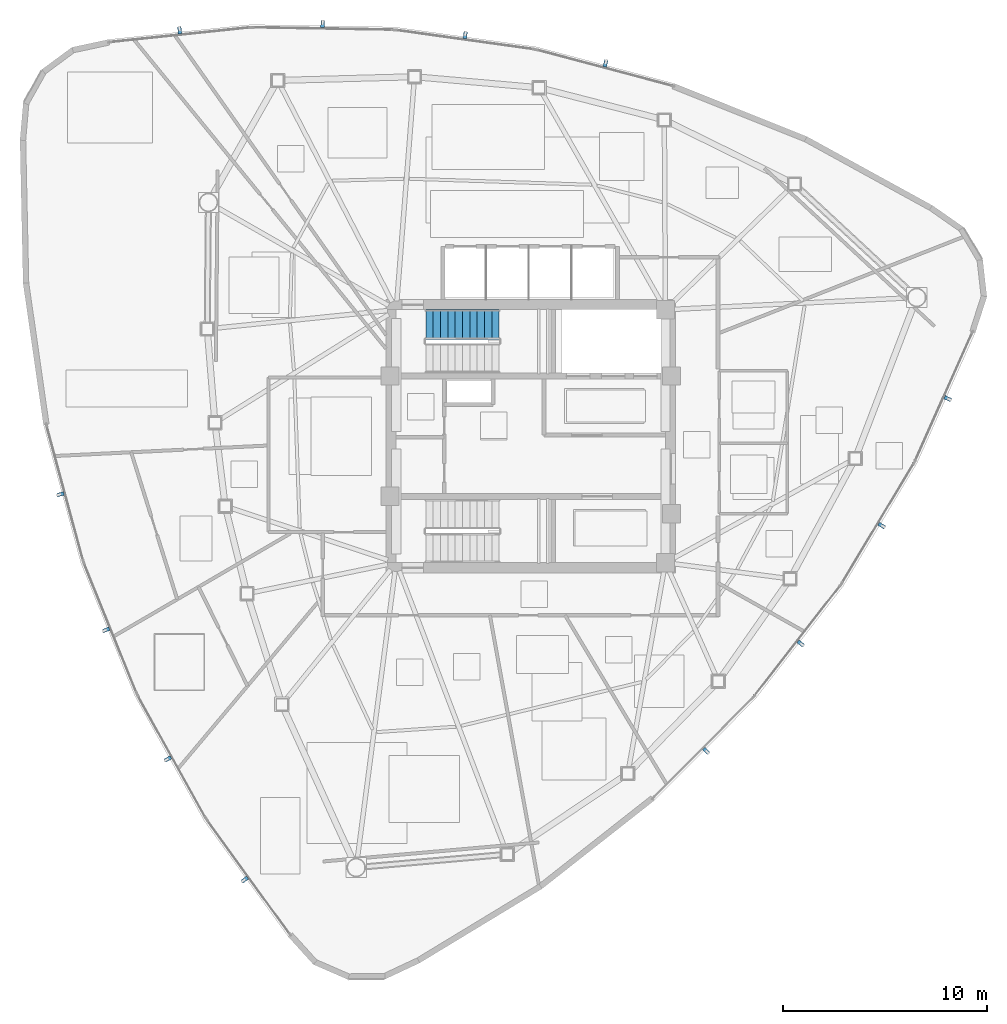
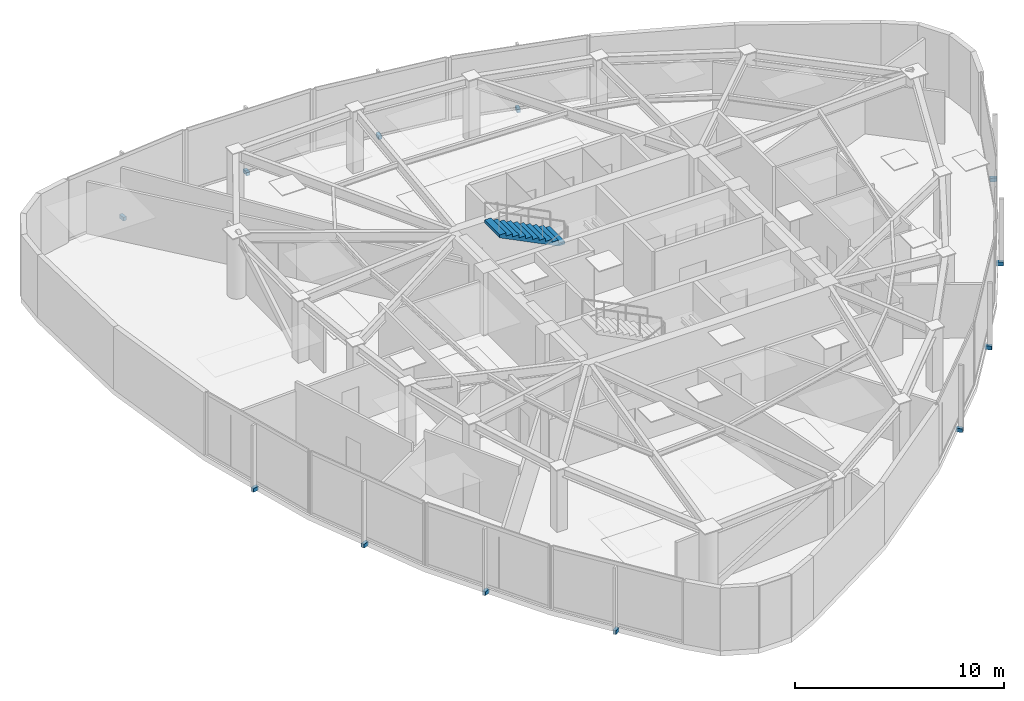
# One storey, part 10 of 13: 12 discrete accessories, 1 stair flight, 1 element without a shape of its own.
"""IFC4 building model written with IfcOpenShell, lengths in metres."""

from ifc_helpers import new_model, si_unit, direction, frame, origin, origin_2d, place, context, subcontext, project, spatial, polyline, rectangle, outline, extrude, source, transform, mapped, material, type_object, type_shapes, element, aggregate, save


model = new_model("IFC4")

# Units and contexts
model_context = context("Model", 3, precision=1e-05, world=origin(), true_north=direction((0.0, 1.0)))
body_context = subcontext(model_context, "Body", "Model", "MODEL_VIEW")
ifc_project = project(units=[si_unit("LENGTHUNIT", "METRE"), si_unit("AREAUNIT", "SQUARE_METRE"), si_unit("VOLUMEUNIT", "CUBIC_METRE"), si_unit("PLANEANGLEUNIT", "RADIAN"), si_unit("MASSUNIT", "GRAM", prefix="KILO")], contexts=[model_context])

# Site, building, storey
site_placement = place(None, origin())
site = spatial("IfcSite", under=ifc_project, at=site_placement, CompositionType="ELEMENT")
building_placement = place(site_placement, origin())
building = spatial("IfcBuilding", under=site, at=building_placement, Name="Tavelor Broadcast Tower", CompositionType="ELEMENT")
storey_placement = place(building_placement, frame((0.0, 0.0, 245.85009765625)))
storey = spatial("IfcBuildingStorey", under=building, at=storey_placement, Name="L58", CompositionType="ELEMENT", Elevation=245.85009765625)

# Stair, stair flight
ifc_material_1 = material(Name="Concrete C40/50", Category="concrete")
stair_type = type_object("IfcStairType", Name="Reinforced Concrete Protected Dogleg Stair 1450 mm", PredefinedType="HALF_TURN_STAIR", material=ifc_material_1)
stair_placement = place(storey_placement, origin())
stair = element("IfcStair", 1, at=stair_placement, inside=storey, type_object=stair_type, Name="L58 Protected Core Exit Stair ST1", PredefinedType="HALF_TURN_STAIR")
stair_flight_type = type_object("IfcStairFlightType", Name="Reinforced Concrete Stair Flight 1450 mm", PredefinedType="STRAIGHT", material=ifc_material_1)
stair_flight_placement = place(storey_placement, frame((48.449951171875, 50.47509765625, 1.974853515625), z_axis=(0.0, 0.0, 1.0), x_axis=(-1.0, 0.0, 0.0)))
stair_flight = element("IfcStairFlight", 2, at=stair_flight_placement, type_object=stair_flight_type, Name="ST1 flight 2", NumberOfRisers=11, NumberOfTreads=10, PredefinedType="STRAIGHT", RiserHeight=0.179545455, TreadLength=0.36, context=body_context, shape_type="SweptSolid", body=[
    extrude(outline(polyline([(0.0, 0.0), (0.0, 0.179443359375), (0.360107421875, 0.179443359375), (0.360107421875, 0.359130859375), (0.719970703125, 0.359130859375), (0.719970703125, 0.53857421875), (1.080078125, 0.53857421875), (1.080078125, 0.71826171875), (1.43994140625, 0.71826171875), (1.43994140625, 0.897705078125), (1.800048828125, 0.897705078125), (1.800048828125, 1.077392578125), (2.159912109375, 1.077392578125), (2.159912109375, 1.2568359375), (2.52001953125, 1.2568359375), (2.52001953125, 1.436279296875), (2.8798828125, 1.436279296875), (2.8798828125, 1.615966796875), (3.239990234375, 1.615966796875), (3.239990234375, 1.79541015625), (3.60009765625, 1.79541015625), (3.60009765625, 1.97509765625), (3.60009765625, 1.6279296875), (0.3359375, 0.0), (0.0, 0.0)])), frame((0.0, 0.72509765625, 0.0), z_axis=(0.0, -1.0, 0.0), x_axis=(1.0, 0.0, 0.0)), (0.0, 0.0, 1.0), 1.449951171875),
])
aggregate(stair, [stair_flight])

# Discrete accessories
ifc_material_2 = material(Name="Steel S355", Category="steel")
discrete_accessory_type = type_object("IfcDiscreteAccessoryType", Name="Stainless Baguette Outrigger Support Bracket 260x180", PredefinedType="BRACKET", material=ifc_material_2)
shared_shape = source(origin(), body_context, "Body", "SweptSolid", [
    extrude(rectangle(XDim=0.179931640625, YDim=0.340087890625, at=origin_2d()), origin(), (0.0, 0.0, 1.0), 0.216064453125),
])
type_shapes(discrete_accessory_type, [shared_shape])
for number, where, z_axis, x_axis, name in (
    (3, (26.945556640625, 42.153076171875, -0.25830078125), (0.0, 0.0, 1.0), (0.261009993198, -0.965336098699, 0.0), "L58 Baguette Outrigger Bracket 601"),
    (4, (29.182861328125, 35.505615234375, -0.25830078125), (0.0, 0.0, 1.0), (0.375900820721, -0.926659901464, 0.0), "L58 Baguette Outrigger Bracket 602"),
    (5, (32.2080078125, 29.177490234375, -0.25830078125), (0.0, 0.0, 1.0), (0.485267503577, -0.874365741536, 0.0), "L58 Baguette Outrigger Bracket 603"),
    (6, (35.976806640625, 23.261962890625, -0.25830078125), (0.0, 0.0, 1.0), (0.587502816283, -0.809222120842, 0.0), "L58 Baguette Outrigger Bracket 604"),
    (7, (58.5927734375, 29.575439453125, -0.25830078125), (0.0, 0.0, 1.0), (0.705500588065, 0.7087093341, 0.0), "L58 Baguette Outrigger Bracket 605"),
    (8, (63.231201171875, 34.836669921875, -0.25830078125), (0.0, 0.0, 1.0), (0.614698279336, 0.788762337705, 0.0), "L58 Baguette Outrigger Bracket 606"),
    (9, (67.19873046875, 40.62060546875, -0.25830078125), (0.0, 0.0, 1.0), (0.514589192581, 0.857436856497, 0.0), "L58 Baguette Outrigger Bracket 607"),
    (10, (70.4375, 46.842041015625, -0.25830078125), (0.0, 0.0, 1.0), (0.407055505812, 0.913403424117, 0.0), "L58 Baguette Outrigger Bracket 608"),
    (11, (53.66162109375, 63.271484375, -0.25830078125), (0.0, 0.0, 1.0), (-0.966465776722, 0.256795448608, 0.0), "L58 Baguette Outrigger Bracket 609"),
    (12, (46.7861328125, 64.65771484375, -0.25830078125), (0.0, 0.0, 1.0), (-0.990461425697, 0.137790290685, 0.0), "L58 Baguette Outrigger Bracket 610"),
    (13, (39.793212890625, 65.201904296875, -0.25830078125), (0.0, 0.0, 1.0), (-0.999856696158, 0.01692888504, 0.0), "L58 Baguette Outrigger Bracket 611"),
    (14, (32.785888671875, 64.89599609375, -0.25830078125), (0.0, 0.0, 1.0), (-0.994558322095, -0.104181303275, 0.0), "L58 Baguette Outrigger Bracket 612"),
):
    element("IfcDiscreteAccessory", number, at=place(storey_placement, frame(where, z_axis=z_axis, x_axis=x_axis)), inside=storey, type_object=discrete_accessory_type, Name=name, PredefinedType="BRACKET", context=body_context, shape_type="MappedRepresentation", body=[
        mapped(shared_shape, transform((0.0, 0.0, 0.0), scale=1.0)),
    ])

save(model, "model.ifc")
